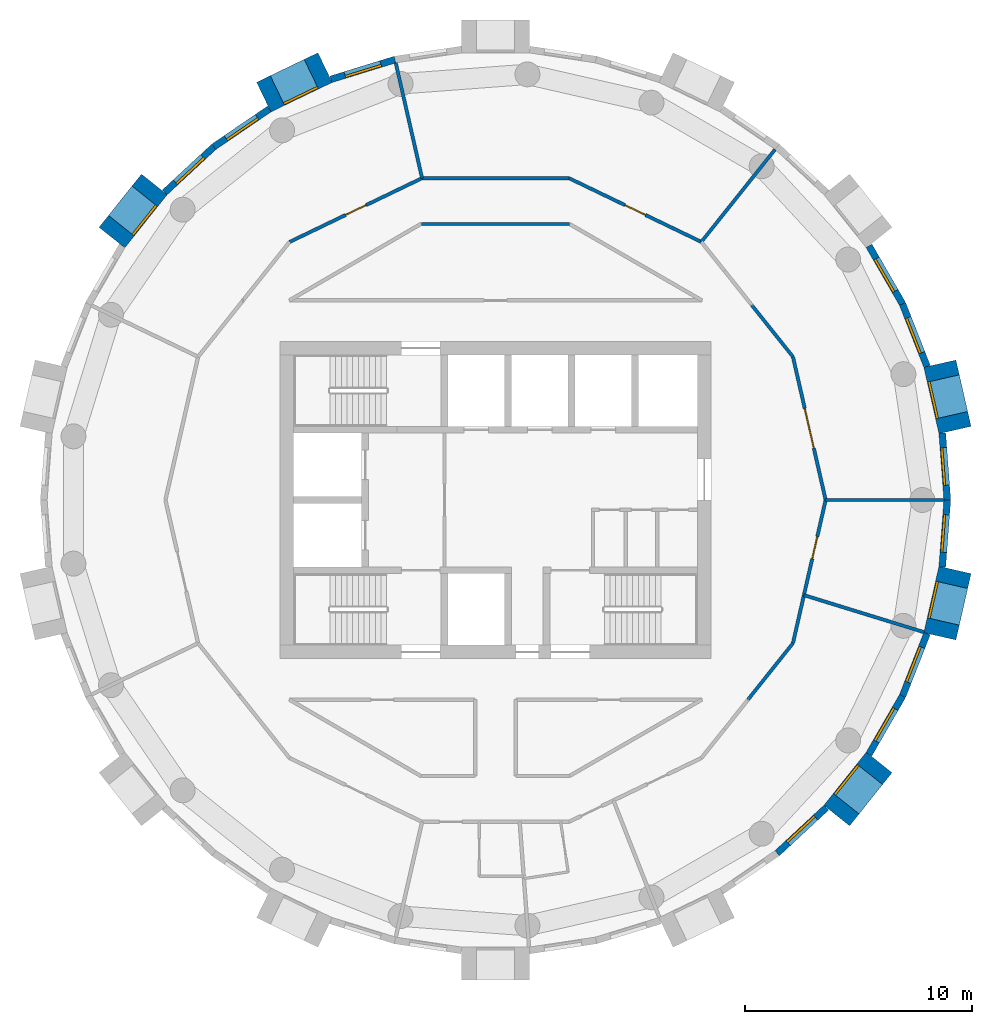
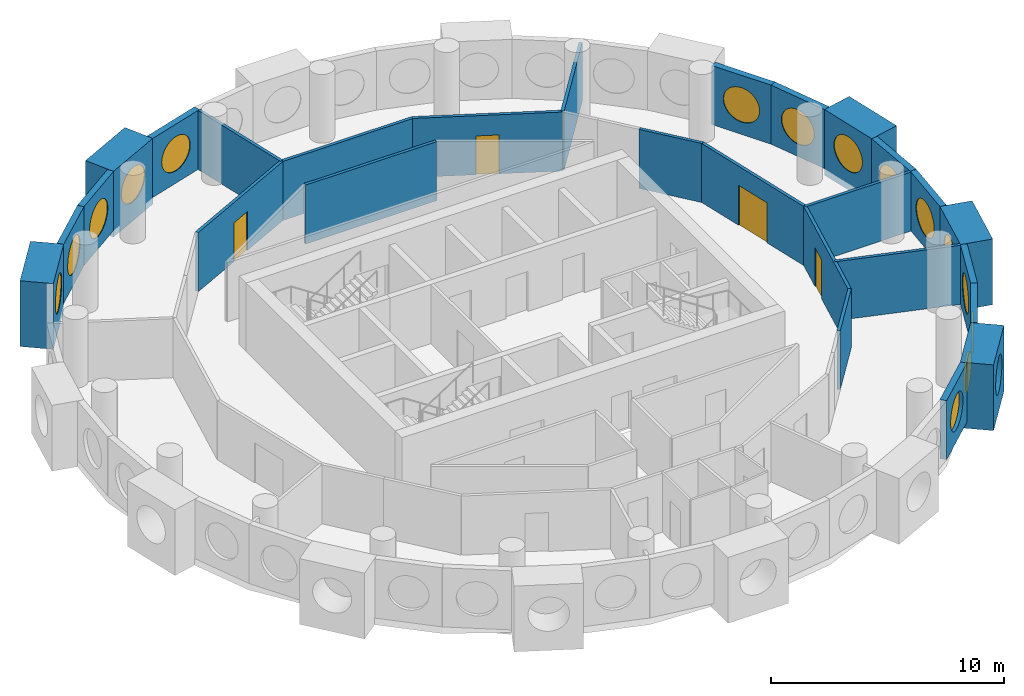
# One storey, part 10 of 13: 27 walls, 15 windows, 4 doors, 19 openings.
"""IFC4 building model written with IfcOpenShell, lengths in metres."""

import ifcopenshell
import ifcopenshell.guid

model = None  # the IFC model being written
_history = None  # IfcOwnerHistory: only IFC2X3 demands one
_inside = {}  # id of a spatial element -> (the spatial element, [elements in it])
_under = {}  # id of a project, library or spatial element -> (it, [spatial elements below it])
_declared = {}  # id of a project -> (the project, [libraries it declares])
_typed = {}  # id of a type object -> (the type object, [elements of that type])
_made_of = {}  # id of a material, layer set ... -> (it, [elements and type objects made of it])


def new_model(schema):
    """Start an empty IFC model of exactly this schema.

    Asked for "IFC4X3", IfcOpenShell would pick the latest addendum, in which some entities
    have other attributes; the version numbers below select the first issue.
    IFC2X3 requires an IfcOwnerHistory on every rooted entity: one is made here for all.
    """
    global model, _history
    if schema == "IFC4X3":
        model = ifcopenshell.file(schema_version=(4, 3, 0, 0))
    else:
        model = ifcopenshell.file(schema=schema)
    _inside.clear()
    _under.clear()
    _declared.clear()
    _typed.clear()
    _made_of.clear()
    _history = None
    if model.schema == "IFC2X3":
        org = make("IfcOrganization", Name="unknown")
        user = make(
            "IfcPersonAndOrganization",
            ThePerson=make("IfcPerson", FamilyName="unknown"),
            TheOrganization=org,
        )
        app = make(
            "IfcApplication",
            ApplicationDeveloper=org,
            Version="unknown",
            ApplicationFullName="unknown",
            ApplicationIdentifier="unknown",
        )
        _history = make(
            "IfcOwnerHistory",
            OwningUser=user,
            OwningApplication=app,
            ChangeAction="ADDED",
            CreationDate=0,
        )
    return model


def make(cls, **values):
    """One entity of the class cls with the attributes given. An attribute that is None is left unset."""
    return model.create_entity(
        cls, **{name: value for name, value in values.items() if value is not None}
    )


def rooted(cls, **values):
    """An entity with a GlobalId (a new one), such as an element, a storey or a relation."""
    return make(cls, GlobalId=ifcopenshell.guid.new(), OwnerHistory=_history, **values)


def si_unit(unit_type, name, prefix=None):
    """IfcSIUnit, for example si_unit("LENGTHUNIT", "METRE", prefix="MILLI")."""
    return make("IfcSIUnit", UnitType=unit_type, Prefix=prefix, Name=name)


def assignment(units):
    """IfcUnitAssignment: the units of a project."""
    return None if units is None else make("IfcUnitAssignment", Units=units)


def point(xyz):
    """IfcCartesianPoint."""
    return None if xyz is None else make("IfcCartesianPoint", Coordinates=xyz)


def direction(xyz):
    """IfcDirection."""
    return None if xyz is None else make("IfcDirection", DirectionRatios=xyz)


def frame(location, z_axis=None, x_axis=None):
    """IfcAxis2Placement3D, a coordinate frame: its origin and axes. An axis left out is left unset."""
    return make(
        "IfcAxis2Placement3D",
        Location=point(location),
        Axis=direction(z_axis),
        RefDirection=direction(x_axis),
    )


def frame_2d(location, x_axis=None):
    """IfcAxis2Placement2D, a coordinate frame in the plane: its origin and x axis."""
    return make(
        "IfcAxis2Placement2D", Location=point(location), RefDirection=direction(x_axis)
    )


def origin():
    """The frame at (0, 0, 0) with its axes left unset."""
    return frame((0.0, 0.0, 0.0))


def origin_2d():
    """The frame at (0, 0) in the plane with its x axis left unset."""
    return frame_2d((0.0, 0.0))


def place(relative_to, where):
    """IfcLocalPlacement: puts the frame where relative to a parent placement (None: the world)."""
    return make(
        "IfcLocalPlacement", PlacementRelTo=relative_to, RelativePlacement=where
    )


def context(
    kind, dimensions, precision=None, world=None, true_north=None, identifier=None
):
    """IfcGeometricRepresentationContext, for example the 3D "Model" context."""
    return make(
        "IfcGeometricRepresentationContext",
        ContextIdentifier=identifier,
        ContextType=kind,
        CoordinateSpaceDimension=dimensions,
        Precision=precision,
        WorldCoordinateSystem=world,
        TrueNorth=true_north,
    )


def subcontext(parent, identifier, kind, view, scale=None):
    """IfcGeometricRepresentationSubContext, for example "Body" below "Model"."""
    return make(
        "IfcGeometricRepresentationSubContext",
        ContextIdentifier=identifier,
        ContextType=kind,
        ParentContext=parent,
        TargetScale=scale,
        TargetView=view,
    )


def project(units=None, contexts=None):
    """IfcProject with its units and contexts."""
    return rooted(
        "IfcProject",
        Name="project",
        RepresentationContexts=contexts,
        UnitsInContext=assignment(units),
    )


def spatial(cls, under=None, at=None, **own):
    """A site, building, storey or space (cls), placed at a placement, below another one or the project."""
    s = rooted(cls, ObjectPlacement=at, **own)
    if under is not None:
        _under.setdefault(under.id(), (under, []))[1].append(s)
    return s


def profile(cls, at=None, kind="AREA", **sizes):
    """A parametric profile (cls). Its sizes go by their IFC names, for example OverallWidth=200.0."""
    return make(cls, ProfileType=kind, Position=at, **sizes)


def rectangle(**sizes):
    """IfcRectangleProfileDef."""
    return profile("IfcRectangleProfileDef", **sizes)


def circle(**sizes):
    """IfcCircleProfileDef."""
    return profile("IfcCircleProfileDef", **sizes)


def extrude(swept, where, along, depth):
    """IfcExtrudedAreaSolid: the profile swept, set in the frame where, extruded along a direction by depth."""
    return make(
        "IfcExtrudedAreaSolid",
        SweptArea=swept,
        Position=where,
        ExtrudedDirection=direction(along),
        Depth=depth,
    )


def shape(context_of_items, identifier, shape_type, items):
    """IfcShapeRepresentation: the items that make up one representation, for example the "Body"."""
    return make(
        "IfcShapeRepresentation",
        ContextOfItems=context_of_items,
        RepresentationIdentifier=identifier,
        RepresentationType=shape_type,
        Items=items,
    )


def material(Name=None, Category=None):
    """IfcMaterial."""
    return make("IfcMaterial", Name=Name, Category=Category)


def layer(
    of_material, thickness, ventilated=None, Name=None, Category=None, Priority=None
):
    """IfcMaterialLayer: one layer of a wall or slab, of a material (None: an air gap)."""
    return make(
        "IfcMaterialLayer",
        Material=of_material,
        LayerThickness=thickness,
        IsVentilated=ventilated,
        Name=Name,
        Category=Category,
        Priority=Priority,
    )


def layer_set(layers, Name=None):
    """IfcMaterialLayerSet."""
    return make("IfcMaterialLayerSet", MaterialLayers=layers, LayerSetName=Name)


def made_of(thing, what):
    """Note that an element or type object is made of a material, layer set ...; save() writes the relation."""
    if what is not None:
        _made_of.setdefault(what.id(), (what, []))[1].append(thing)
    return thing


def type_object(cls, material=None, **own):
    """A type object (cls), such as IfcWallType, which elements share."""
    return made_of(rooted(cls, **own), material)


def element(
    cls,
    number,
    at=None,
    inside=None,
    cuts=None,
    type_object=None,
    material=None,
    context=None,
    identifier="Body",
    shape_type=None,
    held_by="IfcProductDefinitionShape",
    body=None,
    shapes=None,
    **own,
):
    """One element of the class cls, such as IfcWall. Its Tag is "e" and its number.

    at: its placement. inside: the storey or other place that contains it. cuts: it is an
    opening in that element (IfcRelVoidsElement). A single representation is given by context,
    identifier, shape_type and body (its items); several are given by shapes. held_by: the class
    of the entity that holds the representations. save() writes the other relations.
    """
    e = rooted(cls, Tag="e%d" % number, ObjectPlacement=at, **own)
    if body is not None:
        shapes = [shape(context, identifier, shape_type, body)]
    if shapes is not None:
        e.Representation = make(held_by, Representations=shapes)
    if inside is not None:
        _inside.setdefault(inside.id(), (inside, []))[1].append(e)
    if cuts is not None:
        rooted(
            "IfcRelVoidsElement", RelatingBuildingElement=cuts, RelatedOpeningElement=e
        )
    if type_object is not None:
        _typed.setdefault(type_object.id(), (type_object, []))[1].append(e)
    return made_of(e, material)


def fill(opening, filler):
    """IfcRelFillsElement: the door or window that sits in an opening."""
    return rooted(
        "IfcRelFillsElement",
        RelatingOpeningElement=opening,
        RelatedBuildingElement=filler,
    )


def aggregate(whole, parts):
    """IfcRelAggregates: a whole, such as a stair, and the parts it consists of."""
    return rooted("IfcRelAggregates", RelatingObject=whole, RelatedObjects=parts)


def save(model, path):
    """Write the relations noted so far, then the file.

    IfcRelAggregates (storeys below a building ...), IfcRelContainedInSpatialStructure (elements
    in a storey), IfcRelDefinesByType, IfcRelAssociatesMaterial and IfcRelDeclares: one each for
    every whole, place, type object, material and project.
    """
    for whole, parts in _under.values():
        aggregate(whole, parts)
    for where, things in _inside.values():
        rooted(
            "IfcRelContainedInSpatialStructure",
            RelatedElements=things,
            RelatingStructure=where,
        )
    for kind, things in _typed.values():
        rooted("IfcRelDefinesByType", RelatedObjects=things, RelatingType=kind)
    for what, things in _made_of.values():
        rooted("IfcRelAssociatesMaterial", RelatedObjects=things, RelatingMaterial=what)
    for by, libraries in _declared.values():
        rooted("IfcRelDeclares", RelatingContext=by, RelatedDefinitions=libraries)
    model.write(path)


model = new_model("IFC4")

# Units and contexts
model_context = context("Model", 3, precision=1e-05, world=origin(), true_north=direction((0.0, 1.0)))
body_context = subcontext(model_context, "Body", "Model", "MODEL_VIEW")
ifc_project = project(units=[si_unit("LENGTHUNIT", "METRE"), si_unit("AREAUNIT", "SQUARE_METRE"), si_unit("VOLUMEUNIT", "CUBIC_METRE"), si_unit("PLANEANGLEUNIT", "RADIAN"), si_unit("MASSUNIT", "GRAM", prefix="KILO")], contexts=[model_context])

# Site, building, storey
site_placement = place(None, origin())
site = spatial("IfcSite", under=ifc_project, at=site_placement, CompositionType="ELEMENT")
building_placement = place(site_placement, origin())
building = spatial("IfcBuilding", under=site, at=building_placement, Name="Tracery Tower", CompositionType="ELEMENT")
storey_placement = place(building_placement, frame((0.0, 0.0, 274.199951171875)))
storey = spatial("IfcBuildingStorey", under=building, at=storey_placement, Name="L71", CompositionType="ELEMENT", Elevation=274.199951171875)

# Wall, opening, window
ifc_material_1 = material(Name="Precast concrete C50/60", Category="concrete")
ifc_layer_1 = layer(ifc_material_1, 1.449951171875)
ifc_layer_set_1 = layer_set([ifc_layer_1], Name="Deep-set bay unit 3000 x 3450, slab edge 350")
wall_type_1 = type_object("IfcWallType", Name="Deep-set bay unit 3000 x 3450, slab edge 350", PredefinedType="ELEMENTEDWALL", material=ifc_layer_set_1)
wall_1_placement = place(storey_placement, frame((20.262451171875, 3.086181640625, -0.349853515625), z_axis=(0.0, 0.0, 1.0), x_axis=(-0.222570682856, 0.974916555985, 0.0)))
wall_1 = element("IfcWall", 1, at=wall_1_placement, inside=storey, type_object=wall_type_1, Name="Deep-set bay unit 2 at L71", PredefinedType="ELEMENTEDWALL", context=body_context, shape_type="SweptSolid", body=[
    extrude(rectangle(XDim=3.0, YDim=1.449951171875, at=frame_2d((1.5, 0.0))), origin(), (0.0, 0.0, 1.0), 3.449951171875),
])
opening_1_placement = place(wall_1_placement, frame((1.5, 0.0, 1.89990234375)))
opening_1 = element("IfcOpeningElement", 2, at=opening_1_placement, cuts=wall_1, Name="Opening WN1", PredefinedType="OPENING", context=body_context, shape_type="SweptSolid", body=[
    extrude(circle(Radius=0.9000244140625, at=origin_2d()), frame((0.0, 0.73486328125, 0.0), z_axis=(0.0, -1.0, 0.0), x_axis=(1.0, 0.0, 0.0)), (0.0, 0.0, 1.0), 1.469970703125),
])
ifc_material_2 = material(Name="Aluminium frame with tinted double glazing", Category="aluminium")
window_type = type_object("IfcWindowType", Name="Round window 1800", PartitioningType="SINGLE_PANEL", PredefinedType="WINDOW", material=ifc_material_2)
window_1_placement = place(opening_1_placement, origin())
window_1 = element("IfcWindow", 3, at=window_1_placement, inside=storey, type_object=window_type, Name="Round window 2 at L71", OverallHeight=1.800048828125, OverallWidth=1.800048828125, PartitioningType="SINGLE_PANEL", PredefinedType="WINDOW", context=body_context, shape_type="SweptSolid", body=[
    extrude(circle(Radius=0.9000244140625, at=origin_2d()), frame((0.0, 0.69482421875, 0.0), z_axis=(0.0, -1.0, 0.0), x_axis=(1.0, 0.0, 0.0)), (0.0, 0.0, 1.0), 0.10009765625),
])
fill(opening_1, window_1)

wall_2_placement = place(storey_placement, frame((-7.517578125, 19.067626953125, -0.349853515625), z_axis=(0.0, 0.0, 1.0), x_axis=(-0.900953362039, -0.433915935904, 0.0)))
wall_2 = element("IfcWall", 4, at=wall_2_placement, inside=storey, type_object=wall_type_1, Name="Deep-set bay unit 14 at L71", PredefinedType="ELEMENTEDWALL", context=body_context, shape_type="SweptSolid", body=[
    extrude(rectangle(XDim=3.0, YDim=1.449951171875, at=frame_2d((1.5, 0.0))), origin(), (0.0, 0.0, 1.0), 3.449951171875),
])
opening_2_placement = place(wall_2_placement, frame((1.5, 0.0, 1.89990234375)))
opening_2 = element("IfcOpeningElement", 5, at=opening_2_placement, cuts=wall_2, Name="Opening WN1", PredefinedType="OPENING", context=body_context, shape_type="SweptSolid", body=[
    extrude(circle(Radius=0.9000244140625, at=origin_2d()), frame((0.0, 0.73486328125, 0.0), z_axis=(0.0, -1.0, 0.0), x_axis=(1.0, 0.0, 0.0)), (0.0, 0.0, 1.0), 1.469970703125),
])
window_2_placement = place(opening_2_placement, origin())
window_2 = element("IfcWindow", 6, at=window_2_placement, inside=storey, type_object=window_type, Name="Round window 14 at L71", OverallHeight=1.800048828125, OverallWidth=1.800048828125, PartitioningType="SINGLE_PANEL", PredefinedType="WINDOW", context=body_context, shape_type="SweptSolid", body=[
    extrude(circle(Radius=0.9000244140625, at=origin_2d()), frame((0.0, 0.69482421875, 0.0), z_axis=(0.0, -1.0, 0.0), x_axis=(1.0, 0.0, 0.0)), (0.0, 0.0, 1.0), 0.10009765625),
])
fill(opening_2, window_2)

wall_3_placement = place(storey_placement, frame((-15.046142578125, 13.91748046875, -0.349853515625), z_axis=(0.0, 0.0, 1.0), x_axis=(-0.623523286312, -0.781804778335, 0.0)))
wall_3 = element("IfcWall", 7, at=wall_3_placement, inside=storey, type_object=wall_type_1, Name="Deep-set bay unit 17 at L71", PredefinedType="ELEMENTEDWALL", context=body_context, shape_type="SweptSolid", body=[
    extrude(rectangle(XDim=3.0, YDim=1.449951171875, at=frame_2d((1.5, 0.0))), origin(), (0.0, 0.0, 1.0), 3.449951171875),
])
opening_3_placement = place(wall_3_placement, frame((1.5, 0.0, 1.89990234375)))
opening_3 = element("IfcOpeningElement", 8, at=opening_3_placement, cuts=wall_3, Name="Opening WN1", PredefinedType="OPENING", context=body_context, shape_type="SweptSolid", body=[
    extrude(circle(Radius=0.9000244140625, at=origin_2d()), frame((0.0, 0.73486328125, 0.0), z_axis=(0.0, -1.0, 0.0), x_axis=(1.0, 0.0, 0.0)), (0.0, 0.0, 1.0), 1.469970703125),
])
window_3_placement = place(opening_3_placement, origin())
window_3 = element("IfcWindow", 9, at=window_3_placement, inside=storey, type_object=window_type, Name="Round window 17 at L71", OverallHeight=1.800048828125, OverallWidth=1.800048828125, PartitioningType="SINGLE_PANEL", PredefinedType="WINDOW", context=body_context, shape_type="SweptSolid", body=[
    extrude(circle(Radius=0.9000244140625, at=origin_2d()), frame((0.0, 0.69482421875, 0.0), z_axis=(0.0, -1.0, 0.0), x_axis=(1.0, 0.0, 0.0)), (0.0, 0.0, 1.0), 0.10009765625),
])
fill(opening_3, window_3)

wall_4_placement = place(storey_placement, frame((15.046142578125, -13.91748046875, -0.349853515625), z_axis=(0.0, 0.0, 1.0), x_axis=(0.623523286312, 0.781804778335, 0.0)))
wall_4 = element("IfcWall", 10, at=wall_4_placement, inside=storey, type_object=wall_type_1, Name="Deep-set bay unit 38 at L71", PredefinedType="ELEMENTEDWALL", context=body_context, shape_type="SweptSolid", body=[
    extrude(rectangle(XDim=3.0, YDim=1.449951171875, at=frame_2d((1.5, 0.0))), origin(), (0.0, 0.0, 1.0), 3.449951171875),
])
opening_4_placement = place(wall_4_placement, frame((1.5, 0.0, 1.89990234375)))
opening_4 = element("IfcOpeningElement", 11, at=opening_4_placement, cuts=wall_4, Name="Opening WN1", PredefinedType="OPENING", context=body_context, shape_type="SweptSolid", body=[
    extrude(circle(Radius=0.9000244140625, at=origin_2d()), frame((0.0, 0.73486328125, 0.0), z_axis=(0.0, -1.0, 0.0), x_axis=(1.0, 0.0, 0.0)), (0.0, 0.0, 1.0), 1.469970703125),
])
window_4_placement = place(opening_4_placement, origin())
window_4 = element("IfcWindow", 12, at=window_4_placement, inside=storey, type_object=window_type, Name="Round window 38 at L71", OverallHeight=1.800048828125, OverallWidth=1.800048828125, PartitioningType="SINGLE_PANEL", PredefinedType="WINDOW", context=body_context, shape_type="SweptSolid", body=[
    extrude(circle(Radius=0.9000244140625, at=origin_2d()), frame((0.0, 0.69482421875, 0.0), z_axis=(0.0, -1.0, 0.0), x_axis=(1.0, 0.0, 0.0)), (0.0, 0.0, 1.0), 0.10009765625),
])
fill(opening_4, window_4)

wall_5_placement = place(storey_placement, frame((19.5947265625, -6.010986328125, -0.349853515625), z_axis=(0.0, 0.0, 1.0), x_axis=(0.222570682856, 0.974916555985, 0.0)))
wall_5 = element("IfcWall", 13, at=wall_5_placement, inside=storey, type_object=wall_type_1, Name="Deep-set bay unit 41 at L71", PredefinedType="ELEMENTEDWALL", context=body_context, shape_type="SweptSolid", body=[
    extrude(rectangle(XDim=3.0, YDim=1.449951171875, at=frame_2d((1.5, 0.0))), origin(), (0.0, 0.0, 1.0), 3.449951171875),
])
opening_5_placement = place(wall_5_placement, frame((1.5, 0.0, 1.89990234375)))
opening_5 = element("IfcOpeningElement", 14, at=opening_5_placement, cuts=wall_5, Name="Opening WN1", PredefinedType="OPENING", context=body_context, shape_type="SweptSolid", body=[
    extrude(circle(Radius=0.9000244140625, at=origin_2d()), frame((0.0, 0.73486328125, 0.0), z_axis=(0.0, -1.0, 0.0), x_axis=(1.0, 0.0, 0.0)), (0.0, 0.0, 1.0), 1.469970703125),
])
window_5_placement = place(opening_5_placement, origin())
window_5 = element("IfcWindow", 15, at=window_5_placement, inside=storey, type_object=window_type, Name="Round window 41 at L71", OverallHeight=1.800048828125, OverallWidth=1.800048828125, PartitioningType="SINGLE_PANEL", PredefinedType="WINDOW", context=body_context, shape_type="SweptSolid", body=[
    extrude(circle(Radius=0.9000244140625, at=origin_2d()), frame((0.0, 0.69482421875, 0.0), z_axis=(0.0, -1.0, 0.0), x_axis=(1.0, 0.0, 0.0)), (0.0, 0.0, 1.0), 0.10009765625),
])
fill(opening_5, window_5)

ifc_material_3 = material(Name="Precast concrete C50/60", Category="concrete")
ifc_layer_2 = layer(ifc_material_3, 0.300048828125)
ifc_layer_set_2 = layer_set([ifc_layer_2], Name="Facade panel 3000 x 3100")
wall_type_2 = type_object("IfcWallType", Name="Facade panel 3000 x 3100", PredefinedType="SOLIDWALL", material=ifc_layer_set_2)
wall_6_placement = place(storey_placement, frame((19.921875, 0.0, 0.0), z_axis=(0.0, 0.0, 1.0), x_axis=(-0.074755115547, 0.997201921729, 0.0)))
wall_6 = element("IfcWall", 16, at=wall_6_placement, inside=storey, type_object=wall_type_2, Name="Facade panel 1 at L71", PredefinedType="SOLIDWALL", context=body_context, shape_type="SweptSolid", body=[
    extrude(rectangle(XDim=2.962158203125, YDim=0.300048828125, at=frame_2d((1.48095703125, 0.0))), origin(), (0.0, 0.0, 1.0), 3.10009765625),
])
opening_6_placement = place(wall_6_placement, frame((1.48095703125, 0.0, 1.5498046875)))
opening_6 = element("IfcOpeningElement", 17, at=opening_6_placement, cuts=wall_6, Name="Opening WN1", PredefinedType="OPENING", context=body_context, shape_type="SweptSolid", body=[
    extrude(circle(Radius=0.9000244140625, at=origin_2d()), frame((0.0, 0.159912109375, 0.0), z_axis=(0.0, -1.0, 0.0), x_axis=(1.0, 0.0, 0.0)), (0.0, 0.0, 1.0), 0.320068359375),
])
window_6_placement = place(opening_6_placement, origin())
window_6 = element("IfcWindow", 18, at=window_6_placement, inside=storey, type_object=window_type, Name="Round window 1 at L71", OverallHeight=1.800048828125, OverallWidth=1.800048828125, PartitioningType="SINGLE_PANEL", PredefinedType="WINDOW", context=body_context, shape_type="SweptSolid", body=[
    extrude(circle(Radius=0.9000244140625, at=origin_2d()), frame((0.0, 0.1201171875, 0.0), z_axis=(0.0, -1.0, 0.0), x_axis=(1.0, 0.0, 0.0)), (0.0, 0.0, 1.0), 0.10009765625),
])
fill(opening_6, window_6)

wall_7_placement = place(storey_placement, frame((19.03125, 5.88623046875, 0.0), z_axis=(0.0, 0.0, 1.0), x_axis=(-0.365343821297, 0.930872650925, 0.0)))
wall_7 = element("IfcWall", 19, at=wall_7_placement, inside=storey, type_object=wall_type_2, Name="Facade panel 3 at L71", PredefinedType="SOLIDWALL", context=body_context, shape_type="SweptSolid", body=[
    extrude(rectangle(XDim=2.96240234375, YDim=0.300048828125, at=frame_2d((1.481201171875, 0.0))), origin(), (0.0, 0.0, 1.0), 3.10009765625),
])
opening_7_placement = place(wall_7_placement, frame((1.48095703125, 0.0, 1.5498046875)))
opening_7 = element("IfcOpeningElement", 20, at=opening_7_placement, cuts=wall_7, Name="Opening WN1", PredefinedType="OPENING", context=body_context, shape_type="SweptSolid", body=[
    extrude(circle(Radius=0.9000244140625, at=origin_2d()), frame((0.0, 0.159912109375, 0.0), z_axis=(0.0, -1.0, 0.0), x_axis=(1.0, 0.0, 0.0)), (0.0, 0.0, 1.0), 0.320068359375),
])
window_7_placement = place(opening_7_placement, origin())
window_7 = element("IfcWindow", 21, at=window_7_placement, inside=storey, type_object=window_type, Name="Round window 3 at L71", OverallHeight=1.800048828125, OverallWidth=1.800048828125, PartitioningType="SINGLE_PANEL", PredefinedType="WINDOW", context=body_context, shape_type="SweptSolid", body=[
    extrude(circle(Radius=0.9000244140625, at=origin_2d()), frame((0.0, 0.1201171875, 0.0), z_axis=(0.0, -1.0, 0.0), x_axis=(1.0, 0.0, 0.0)), (0.0, 0.0, 1.0), 0.10009765625),
])
fill(opening_7, window_7)

wall_8_placement = place(storey_placement, frame((17.948974609375, 8.643798828125, 0.0), z_axis=(0.0, 0.0, 1.0), x_axis=(-0.500012570604, 0.866018146021, 0.0)))
wall_8 = element("IfcWall", 22, at=wall_8_placement, inside=storey, type_object=wall_type_2, Name="Facade panel 4 at L71", PredefinedType="SOLIDWALL", context=body_context, shape_type="SweptSolid", body=[
    extrude(rectangle(XDim=2.96240234375, YDim=0.300048828125, at=frame_2d((1.481201171875, 0.0))), origin(), (0.0, 0.0, 1.0), 3.10009765625),
])
opening_8_placement = place(wall_8_placement, frame((1.48095703125, 0.0, 1.5498046875)))
opening_8 = element("IfcOpeningElement", 23, at=opening_8_placement, cuts=wall_8, Name="Opening WN1", PredefinedType="OPENING", context=body_context, shape_type="SweptSolid", body=[
    extrude(circle(Radius=0.9000244140625, at=origin_2d()), frame((0.0, 0.159912109375, 0.0), z_axis=(0.0, -1.0, 0.0), x_axis=(1.0, 0.0, 0.0)), (0.0, 0.0, 1.0), 0.320068359375),
])
window_8_placement = place(opening_8_placement, origin())
window_8 = element("IfcWindow", 24, at=window_8_placement, inside=storey, type_object=window_type, Name="Round window 4 at L71", OverallHeight=1.800048828125, OverallWidth=1.800048828125, PartitioningType="SINGLE_PANEL", PredefinedType="WINDOW", context=body_context, shape_type="SweptSolid", body=[
    extrude(circle(Radius=0.9000244140625, at=origin_2d()), frame((0.0, 0.1201171875, 0.0), z_axis=(0.0, -1.0, 0.0), x_axis=(1.0, 0.0, 0.0)), (0.0, 0.0, 1.0), 0.10009765625),
])
fill(opening_8, window_8)

wall_9_placement = place(storey_placement, frame((-4.43310546875, 19.42236328125, 0.0), z_axis=(0.0, 0.0, 1.0), x_axis=(-0.955555982805, -0.29480970765, 0.0)))
wall_9 = element("IfcWall", 25, at=wall_9_placement, inside=storey, type_object=wall_type_2, Name="Facade panel 13 at L71", PredefinedType="SOLIDWALL", context=body_context, shape_type="SweptSolid", body=[
    extrude(rectangle(XDim=2.962158203125, YDim=0.300048828125, at=frame_2d((1.48095703125, 0.0))), origin(), (0.0, 0.0, 1.0), 3.10009765625),
])
opening_9_placement = place(wall_9_placement, frame((1.48095703125, 0.0, 1.5498046875)))
opening_9 = element("IfcOpeningElement", 26, at=opening_9_placement, cuts=wall_9, Name="Opening WN1", PredefinedType="OPENING", context=body_context, shape_type="SweptSolid", body=[
    extrude(circle(Radius=0.9000244140625, at=origin_2d()), frame((0.0, 0.159912109375, 0.0), z_axis=(0.0, -1.0, 0.0), x_axis=(1.0, 0.0, 0.0)), (0.0, 0.0, 1.0), 0.320068359375),
])
window_9_placement = place(opening_9_placement, origin())
window_9 = element("IfcWindow", 27, at=window_9_placement, inside=storey, type_object=window_type, Name="Round window 13 at L71", OverallHeight=1.800048828125, OverallWidth=1.800048828125, PartitioningType="SINGLE_PANEL", PredefinedType="WINDOW", context=body_context, shape_type="SweptSolid", body=[
    extrude(circle(Radius=0.9000244140625, at=origin_2d()), frame((0.0, 0.1201171875, 0.0), z_axis=(0.0, -1.0, 0.0), x_axis=(1.0, 0.0, 0.0)), (0.0, 0.0, 1.0), 0.10009765625),
])
fill(opening_9, window_9)

wall_10_placement = place(storey_placement, frame((-9.9736328125, 17.244140625, 0.0), z_axis=(0.0, 0.0, 1.0), x_axis=(-0.826236061068, -0.563324037646, 0.0)))
wall_10 = element("IfcWall", 28, at=wall_10_placement, inside=storey, type_object=wall_type_2, Name="Facade panel 15 at L71", PredefinedType="SOLIDWALL", context=body_context, shape_type="SweptSolid", body=[
    extrude(rectangle(XDim=2.962158203125, YDim=0.300048828125, at=frame_2d((1.48095703125, 0.0))), origin(), (0.0, 0.0, 1.0), 3.10009765625),
])
opening_10_placement = place(wall_10_placement, frame((1.48095703125, 0.0, 1.5498046875)))
opening_10 = element("IfcOpeningElement", 29, at=opening_10_placement, cuts=wall_10, Name="Opening WN1", PredefinedType="OPENING", context=body_context, shape_type="SweptSolid", body=[
    extrude(circle(Radius=0.9000244140625, at=origin_2d()), frame((0.0, 0.159912109375, 0.0), z_axis=(0.0, -1.0, 0.0), x_axis=(1.0, 0.0, 0.0)), (0.0, 0.0, 1.0), 0.320068359375),
])
window_10_placement = place(opening_10_placement, origin())
window_10 = element("IfcWindow", 30, at=window_10_placement, inside=storey, type_object=window_type, Name="Round window 15 at L71", OverallHeight=1.800048828125, OverallWidth=1.800048828125, PartitioningType="SINGLE_PANEL", PredefinedType="WINDOW", context=body_context, shape_type="SweptSolid", body=[
    extrude(circle(Radius=0.9000244140625, at=origin_2d()), frame((0.0, 0.1201171875, 0.0), z_axis=(0.0, -1.0, 0.0), x_axis=(1.0, 0.0, 0.0)), (0.0, 0.0, 1.0), 0.10009765625),
])
fill(opening_10, window_10)

wall_11_placement = place(storey_placement, frame((-12.421142578125, 15.575439453125, 0.0), z_axis=(0.0, 0.0, 1.0), x_axis=(-0.733028283666, -0.680198158882, 0.0)))
wall_11 = element("IfcWall", 31, at=wall_11_placement, inside=storey, type_object=wall_type_2, Name="Facade panel 16 at L71", PredefinedType="SOLIDWALL", context=body_context, shape_type="SweptSolid", body=[
    extrude(rectangle(XDim=2.962158203125, YDim=0.300048828125, at=frame_2d((1.48095703125, 0.0))), origin(), (0.0, 0.0, 1.0), 3.10009765625),
])
opening_11_placement = place(wall_11_placement, frame((1.48095703125, 0.0, 1.5498046875)))
opening_11 = element("IfcOpeningElement", 32, at=opening_11_placement, cuts=wall_11, Name="Opening WN1", PredefinedType="OPENING", context=body_context, shape_type="SweptSolid", body=[
    extrude(circle(Radius=0.9000244140625, at=origin_2d()), frame((0.0, 0.159912109375, 0.0), z_axis=(0.0, -1.0, 0.0), x_axis=(1.0, 0.0, 0.0)), (0.0, 0.0, 1.0), 0.320068359375),
])
window_11_placement = place(opening_11_placement, origin())
window_11 = element("IfcWindow", 33, at=window_11_placement, inside=storey, type_object=window_type, Name="Round window 16 at L71", OverallHeight=1.800048828125, OverallWidth=1.800048828125, PartitioningType="SINGLE_PANEL", PredefinedType="WINDOW", context=body_context, shape_type="SweptSolid", body=[
    extrude(circle(Radius=0.9000244140625, at=origin_2d()), frame((0.0, 0.1201171875, 0.0), z_axis=(0.0, -1.0, 0.0), x_axis=(1.0, 0.0, 0.0)), (0.0, 0.0, 1.0), 0.10009765625),
])
fill(opening_11, window_11)

wall_12_placement = place(storey_placement, frame((12.421142578125, -15.575439453125, 0.0), z_axis=(0.0, 0.0, 1.0), x_axis=(0.733028283666, 0.680198158882, 0.0)))
wall_12 = element("IfcWall", 34, at=wall_12_placement, inside=storey, type_object=wall_type_2, Name="Facade panel 37 at L71", PredefinedType="SOLIDWALL", context=body_context, shape_type="SweptSolid", body=[
    extrude(rectangle(XDim=2.962158203125, YDim=0.300048828125, at=frame_2d((1.48095703125, 0.0))), origin(), (0.0, 0.0, 1.0), 3.10009765625),
])
opening_12_placement = place(wall_12_placement, frame((1.48095703125, 0.0, 1.5498046875)))
opening_12 = element("IfcOpeningElement", 35, at=opening_12_placement, cuts=wall_12, Name="Opening WN1", PredefinedType="OPENING", context=body_context, shape_type="SweptSolid", body=[
    extrude(circle(Radius=0.9000244140625, at=origin_2d()), frame((0.0, 0.159912109375, 0.0), z_axis=(0.0, -1.0, 0.0), x_axis=(1.0, 0.0, 0.0)), (0.0, 0.0, 1.0), 0.320068359375),
])
window_12_placement = place(opening_12_placement, origin())
window_12 = element("IfcWindow", 36, at=window_12_placement, inside=storey, type_object=window_type, Name="Round window 37 at L71", OverallHeight=1.800048828125, OverallWidth=1.800048828125, PartitioningType="SINGLE_PANEL", PredefinedType="WINDOW", context=body_context, shape_type="SweptSolid", body=[
    extrude(circle(Radius=0.9000244140625, at=origin_2d()), frame((0.0, 0.1201171875, 0.0), z_axis=(0.0, -1.0, 0.0), x_axis=(1.0, 0.0, 0.0)), (0.0, 0.0, 1.0), 0.10009765625),
])
fill(opening_12, window_12)

wall_13_placement = place(storey_placement, frame((16.4677734375, -11.209228515625, 0.0), z_axis=(0.0, 0.0, 1.0), x_axis=(0.500012570604, 0.866018146021, 0.0)))
wall_13 = element("IfcWall", 37, at=wall_13_placement, inside=storey, type_object=wall_type_2, Name="Facade panel 39 at L71", PredefinedType="SOLIDWALL", context=body_context, shape_type="SweptSolid", body=[
    extrude(rectangle(XDim=2.96240234375, YDim=0.300048828125, at=frame_2d((1.481201171875, 0.0))), origin(), (0.0, 0.0, 1.0), 3.10009765625),
])
opening_13_placement = place(wall_13_placement, frame((1.48095703125, 0.0, 1.5498046875)))
opening_13 = element("IfcOpeningElement", 38, at=opening_13_placement, cuts=wall_13, Name="Opening WN1", PredefinedType="OPENING", context=body_context, shape_type="SweptSolid", body=[
    extrude(circle(Radius=0.9000244140625, at=origin_2d()), frame((0.0, 0.159912109375, 0.0), z_axis=(0.0, -1.0, 0.0), x_axis=(1.0, 0.0, 0.0)), (0.0, 0.0, 1.0), 0.320068359375),
])
window_13_placement = place(opening_13_placement, origin())
window_13 = element("IfcWindow", 39, at=window_13_placement, inside=storey, type_object=window_type, Name="Round window 39 at L71", OverallHeight=1.800048828125, OverallWidth=1.800048828125, PartitioningType="SINGLE_PANEL", PredefinedType="WINDOW", context=body_context, shape_type="SweptSolid", body=[
    extrude(circle(Radius=0.9000244140625, at=origin_2d()), frame((0.0, 0.1201171875, 0.0), z_axis=(0.0, -1.0, 0.0), x_axis=(1.0, 0.0, 0.0)), (0.0, 0.0, 1.0), 0.10009765625),
])
fill(opening_13, window_13)

wall_14_placement = place(storey_placement, frame((17.948974609375, -8.643798828125, 0.0), z_axis=(0.0, 0.0, 1.0), x_axis=(0.365343821297, 0.930872650925, 0.0)))
wall_14 = element("IfcWall", 40, at=wall_14_placement, inside=storey, type_object=wall_type_2, Name="Facade panel 40 at L71", PredefinedType="SOLIDWALL", context=body_context, shape_type="SweptSolid", body=[
    extrude(rectangle(XDim=2.96240234375, YDim=0.300048828125, at=frame_2d((1.481201171875, 0.0))), origin(), (0.0, 0.0, 1.0), 3.10009765625),
])
opening_14_placement = place(wall_14_placement, frame((1.48095703125, 0.0, 1.5498046875)))
opening_14 = element("IfcOpeningElement", 41, at=opening_14_placement, cuts=wall_14, Name="Opening WN1", PredefinedType="OPENING", context=body_context, shape_type="SweptSolid", body=[
    extrude(circle(Radius=0.9000244140625, at=origin_2d()), frame((0.0, 0.159912109375, 0.0), z_axis=(0.0, -1.0, 0.0), x_axis=(1.0, 0.0, 0.0)), (0.0, 0.0, 1.0), 0.320068359375),
])
window_14_placement = place(opening_14_placement, origin())
window_14 = element("IfcWindow", 42, at=window_14_placement, inside=storey, type_object=window_type, Name="Round window 40 at L71", OverallHeight=1.800048828125, OverallWidth=1.800048828125, PartitioningType="SINGLE_PANEL", PredefinedType="WINDOW", context=body_context, shape_type="SweptSolid", body=[
    extrude(circle(Radius=0.9000244140625, at=origin_2d()), frame((0.0, 0.1201171875, 0.0), z_axis=(0.0, -1.0, 0.0), x_axis=(1.0, 0.0, 0.0)), (0.0, 0.0, 1.0), 0.10009765625),
])
fill(opening_14, window_14)

wall_15_placement = place(storey_placement, frame((19.700439453125, -2.953857421875, 0.0), z_axis=(0.0, 0.0, 1.0), x_axis=(0.074755115547, 0.997201921729, 0.0)))
wall_15 = element("IfcWall", 43, at=wall_15_placement, inside=storey, type_object=wall_type_2, Name="Facade panel 42 at L71", PredefinedType="SOLIDWALL", context=body_context, shape_type="SweptSolid", body=[
    extrude(rectangle(XDim=2.962158203125, YDim=0.300048828125, at=frame_2d((1.48095703125, 0.0))), origin(), (0.0, 0.0, 1.0), 3.10009765625),
])
opening_15_placement = place(wall_15_placement, frame((1.48095703125, 0.0, 1.5498046875)))
opening_15 = element("IfcOpeningElement", 44, at=opening_15_placement, cuts=wall_15, Name="Opening WN1", PredefinedType="OPENING", context=body_context, shape_type="SweptSolid", body=[
    extrude(circle(Radius=0.9000244140625, at=origin_2d()), frame((0.0, 0.159912109375, 0.0), z_axis=(0.0, -1.0, 0.0), x_axis=(1.0, 0.0, 0.0)), (0.0, 0.0, 1.0), 0.320068359375),
])
window_15_placement = place(opening_15_placement, origin())
window_15 = element("IfcWindow", 45, at=window_15_placement, inside=storey, type_object=window_type, Name="Round window 42 at L71", OverallHeight=1.800048828125, OverallWidth=1.800048828125, PartitioningType="SINGLE_PANEL", PredefinedType="WINDOW", context=body_context, shape_type="SweptSolid", body=[
    extrude(circle(Radius=0.9000244140625, at=origin_2d()), frame((0.0, 0.1201171875, 0.0), z_axis=(0.0, -1.0, 0.0), x_axis=(1.0, 0.0, 0.0)), (0.0, 0.0, 1.0), 0.10009765625),
])
fill(opening_15, window_15)

# Walls
ifc_material_4 = material(Name="Plasterboard on steel studs", Category="steel")
ifc_layer_3 = layer(ifc_material_4, 0.14990234375)
ifc_layer_set_3 = layer_set([ifc_layer_3], Name="Partition 150 acoustic unit wall")
wall_type_3 = type_object("IfcWallType", Name="Partition 150 acoustic unit wall", PredefinedType="PARTITIONING", material=ifc_layer_set_3)
wall_16_placement = place(storey_placement, frame((9.075927734375, 11.381103515625, 0.0), z_axis=(0.0, 0.0, 1.0), x_axis=(0.623460949534, 0.781854490558, 0.0)))
element("IfcWall", 46, at=wall_16_placement, inside=storey, type_object=wall_type_3, Name="Unit wall RC5-043", PredefinedType="PARTITIONING", context=body_context, shape_type="SweptSolid", body=[
    extrude(rectangle(XDim=5.21435546875, YDim=0.14990234375, at=frame_2d((2.607177734375, 0.0))), origin(), (0.0, 0.0, 1.0), 3.10009765625),
])
wall_17_placement = place(storey_placement, frame((14.556884765625, 0.0, 0.0), z_axis=(0.0, 0.0, 1.0), x_axis=(1.0, 0.0, 0.0)))
element("IfcWall", 47, at=wall_17_placement, inside=storey, type_object=wall_type_3, Name="Unit wall RC5-044", PredefinedType="PARTITIONING", context=body_context, shape_type="SweptSolid", body=[
    extrude(rectangle(XDim=5.214111328125, YDim=0.14990234375, at=frame_2d((2.60693359375, 0.0))), origin(), (0.0, 0.0, 1.0), 3.10009765625),
])
wall_18_placement = place(storey_placement, frame((-4.39990234375, 19.27587890625, 0.0), z_axis=(0.0, 0.0, 1.0), x_axis=(0.222612505682, -0.974907007008, 0.0)))
element("IfcWall", 48, at=wall_18_placement, inside=storey, type_object=wall_type_3, Name="Unit wall RC5-045", PredefinedType="PARTITIONING", context=body_context, shape_type="SweptSolid", body=[
    extrude(rectangle(XDim=5.21484375, YDim=0.14990234375, at=frame_2d((2.607421875, 0.0))), origin(), (0.0, 0.0, 1.0), 3.10009765625),
])
wall_19_placement = place(storey_placement, frame((13.59912109375, -4.195068359375, 0.0), z_axis=(0.0, 0.0, 1.0), x_axis=(0.955580602693, -0.294729896274, 0.0)))
element("IfcWall", 49, at=wall_19_placement, inside=storey, type_object=wall_type_3, Name="Unit wall RC5-056", PredefinedType="PARTITIONING", context=body_context, shape_type="SweptSolid", body=[
    extrude(rectangle(XDim=5.5400390625, YDim=0.14990234375, at=frame_2d((2.77001953125, 0.0))), origin(), (0.0, 0.0, 1.0), 3.10009765625),
])
ifc_material_5 = material(Name="Plasterboard on steel studs", Category="steel")
ifc_layer_4 = layer(ifc_material_5, 0.14990234375)
ifc_layer_set_4 = layer_set([ifc_layer_4], Name="Partition 150 corridor wall")
wall_type_4 = type_object("IfcWallType", Name="Partition 150 corridor wall", PredefinedType="PARTITIONING", material=ifc_layer_set_4)
wall_20_placement = place(storey_placement, frame((11.300048828125, 8.592041015625, 0.0), z_axis=(0.0, 0.0, 1.0), x_axis=(0.623446514299, -0.781866001185, 0.0)))
element("IfcWall", 50, at=wall_20_placement, inside=storey, type_object=wall_type_4, Name="Corridor wall RC5-020", PredefinedType="PARTITIONING", context=body_context, shape_type="SweptSolid", body=[
    extrude(rectangle(XDim=2.9111328125, YDim=0.14990234375, at=frame_2d((1.45556640625, 0.0))), origin(), (0.0, 0.0, 1.0), 3.10009765625),
])

# Wall, opening, door
wall_21_placement = place(storey_placement, frame((13.114990234375, 6.31591796875, 0.0), z_axis=(0.0, 0.0, 1.0), x_axis=(0.222568978642, -0.97491694505, 0.0)))
wall_21 = element("IfcWall", 51, at=wall_21_placement, inside=storey, type_object=wall_type_4, Name="Corridor wall RC5-021", PredefinedType="PARTITIONING", context=body_context, shape_type="SweptSolid", body=[
    extrude(rectangle(XDim=6.478515625, YDim=0.14990234375, at=frame_2d((3.2392578125, 0.0))), origin(), (0.0, 0.0, 1.0), 3.10009765625),
])
opening_16_placement = place(wall_21_placement, frame((2.339111328125, 0.0, 0.0)))
opening_16 = element("IfcOpeningElement", 52, at=opening_16_placement, cuts=wall_21, Name="Opening RC5-04", PredefinedType="OPENING", context=body_context, shape_type="SweptSolid", body=[
    extrude(rectangle(XDim=1.800048828125, YDim=2.10009765625, at=frame_2d((0.89990234375, 1.050048828125))), frame((0.0, 0.074951171875, 0.0), z_axis=(0.0, -1.0, 0.0), x_axis=(1.0, 0.0, 0.0)), (0.0, 0.0, 1.0), 0.14990234375),
])
ifc_material_6 = material(Name="Timber door leaf", Category="wood")
door_type_1 = type_object("IfcDoorType", Name="Door double lounge 1800", OperationType="NOTDEFINED", PredefinedType="DOOR", material=ifc_material_6)
door_1_placement = place(opening_16_placement, origin())
door_1 = element("IfcDoor", 53, at=door_1_placement, inside=storey, type_object=door_type_1, Name="Double lounge door RC5-04", OperationType="DOUBLE_DOOR_SINGLE_SWING", OverallHeight=2.10009765625, OverallWidth=1.800048828125, PredefinedType="DOOR", context=body_context, shape_type="SweptSolid", body=[
    extrude(rectangle(XDim=1.800048828125, YDim=2.10009765625, at=frame_2d((0.89990234375, 1.050048828125))), frame((0.0, 0.02490234375, 0.0), z_axis=(0.0, -1.0, 0.0), x_axis=(1.0, 0.0, 0.0)), (0.0, 0.0, 1.0), 0.050048828125),
])
fill(opening_16, door_1)

wall_22_placement = place(storey_placement, frame((13.114990234375, -6.31591796875, 0.0), z_axis=(0.0, 0.0, 1.0), x_axis=(0.222533159771, 0.974925121639, 0.0)))
wall_22 = element("IfcWall", 54, at=wall_22_placement, inside=storey, type_object=wall_type_4, Name="Corridor wall RC5-022", PredefinedType="PARTITIONING", context=body_context, shape_type="SweptSolid", body=[
    extrude(rectangle(XDim=6.478271484375, YDim=0.14990234375, at=frame_2d((3.2392578125, 0.0))), origin(), (0.0, 0.0, 1.0), 3.10009765625),
])
opening_17_placement = place(wall_22_placement, frame((3.824462890625, 0.0, 0.0)))
opening_17 = element("IfcOpeningElement", 55, at=opening_17_placement, cuts=wall_22, Name="Opening RC5-14", PredefinedType="OPENING", context=body_context, shape_type="SweptSolid", body=[
    extrude(rectangle(XDim=1.0, YDim=2.0400390625, at=frame_2d((0.5, 1.02001953125))), frame((0.0, 0.074951171875, 0.0), z_axis=(0.0, -1.0, 0.0), x_axis=(1.0, 0.0, 0.0)), (0.0, 0.0, 1.0), 0.14990234375),
])
ifc_material_7 = material(Name="Timber door leaf", Category="wood")
door_type_2 = type_object("IfcDoorType", Name="Door communal room 1000", OperationType="NOTDEFINED", PredefinedType="DOOR", material=ifc_material_7)
door_2_placement = place(opening_17_placement, origin())
door_2 = element("IfcDoor", 56, at=door_2_placement, inside=storey, type_object=door_type_2, Name="Communal room door RC5-14", OperationType="SINGLE_SWING_RIGHT", OverallHeight=2.0400390625, OverallWidth=1.0, PredefinedType="DOOR", context=body_context, shape_type="SweptSolid", body=[
    extrude(rectangle(XDim=1.0, YDim=2.0400390625, at=frame_2d((0.5, 1.02001953125))), frame((0.0, 0.02490234375, 0.0), z_axis=(0.0, -1.0, 0.0), x_axis=(1.0, 0.0, 0.0)), (0.0, 0.0, 1.0), 0.050048828125),
])
fill(opening_17, door_2)

# Walls
wall_23_placement = place(storey_placement, frame((11.134033203125, -8.800048828125, 0.0), z_axis=(0.0, 0.0, 1.0), x_axis=(0.623476099415, 0.781842409606, 0.0)))
element("IfcWall", 57, at=wall_23_placement, inside=storey, type_object=wall_type_4, Name="Corridor wall RC5-023", PredefinedType="PARTITIONING", context=body_context, shape_type="SweptSolid", body=[
    extrude(rectangle(XDim=3.17724609375, YDim=0.14990234375, at=frame_2d((1.588623046875, 0.0))), origin(), (0.0, 0.0, 1.0), 3.10009765625),
])
wall_24_placement = place(storey_placement, frame((-3.260986328125, 12.1708984375, 0.0), z_axis=(0.0, 0.0, 1.0), x_axis=(1.0, 0.0, 0.0)))
element("IfcWall", 58, at=wall_24_placement, inside=storey, type_object=wall_type_4, Name="Corridor wall RC5-025", PredefinedType="PARTITIONING", context=body_context, shape_type="SweptSolid", body=[
    extrude(rectangle(XDim=6.52197265625, YDim=0.14990234375, at=frame_2d((3.260986328125, 0.0))), origin(), (0.0, 0.0, 1.0), 3.10009765625),
])
wall_25_placement = place(storey_placement, frame((-3.239013671875, 14.19189453125, 0.0), z_axis=(0.0, 0.0, 1.0), x_axis=(1.0, 0.0, 0.0)))
element("IfcWall", 59, at=wall_25_placement, inside=storey, type_object=wall_type_4, Name="Corridor wall RC5-027", PredefinedType="PARTITIONING", context=body_context, shape_type="SweptSolid", body=[
    extrude(rectangle(XDim=6.47802734375, YDim=0.14990234375, at=frame_2d((3.239013671875, 0.0))), origin(), (0.0, 0.0, 1.0), 3.10009765625),
])

# Wall, opening, door
wall_26_placement = place(storey_placement, frame((3.239013671875, 14.19189453125, 0.0), z_axis=(0.0, 0.0, 1.0), x_axis=(0.900976027191, -0.433868872388, 0.0)))
wall_26 = element("IfcWall", 60, at=wall_26_placement, inside=storey, type_object=wall_type_4, Name="Corridor wall RC5-028", PredefinedType="PARTITIONING", context=body_context, shape_type="SweptSolid", body=[
    extrude(rectangle(XDim=6.478515625, YDim=0.14990234375, at=frame_2d((3.2392578125, 0.0))), origin(), (0.0, 0.0, 1.0), 3.10009765625),
])
opening_18_placement = place(wall_26_placement, frame((2.739013671875, 0.0, 0.0)))
opening_18 = element("IfcOpeningElement", 61, at=opening_18_placement, cuts=wall_26, Name="Opening RC5-05", PredefinedType="OPENING", context=body_context, shape_type="SweptSolid", body=[
    extrude(rectangle(XDim=1.0, YDim=2.0400390625, at=frame_2d((0.5, 1.02001953125))), frame((0.0, 0.074951171875, 0.0), z_axis=(0.0, -1.0, 0.0), x_axis=(1.0, 0.0, 0.0)), (0.0, 0.0, 1.0), 0.14990234375),
])
door_3_placement = place(opening_18_placement, origin())
door_3 = element("IfcDoor", 62, at=door_3_placement, inside=storey, type_object=door_type_2, Name="Communal room door RC5-05", OperationType="SINGLE_SWING_LEFT", OverallHeight=2.0400390625, OverallWidth=1.0, PredefinedType="DOOR", context=body_context, shape_type="SweptSolid", body=[
    extrude(rectangle(XDim=1.0, YDim=2.0400390625, at=frame_2d((0.5, 1.02001953125))), frame((0.0, 0.02490234375, 0.0), z_axis=(0.0, -1.0, 0.0), x_axis=(1.0, 0.0, 0.0)), (0.0, 0.0, 1.0), 0.050048828125),
])
fill(opening_18, door_3)

wall_27_placement = place(storey_placement, frame((-9.075927734375, 11.381103515625, 0.0), z_axis=(0.0, 0.0, 1.0), x_axis=(0.900976027191, 0.433868872388, 0.0)))
wall_27 = element("IfcWall", 63, at=wall_27_placement, inside=storey, type_object=wall_type_4, Name="Corridor wall RC5-029", PredefinedType="PARTITIONING", context=body_context, shape_type="SweptSolid", body=[
    extrude(rectangle(XDim=6.478515625, YDim=0.14990234375, at=frame_2d((3.2392578125, 0.0))), origin(), (0.0, 0.0, 1.0), 3.10009765625),
])
opening_19_placement = place(wall_27_placement, frame((2.739013671875, 0.0, 0.0)))
opening_19 = element("IfcOpeningElement", 64, at=opening_19_placement, cuts=wall_27, Name="Opening RC5-06", PredefinedType="OPENING", context=body_context, shape_type="SweptSolid", body=[
    extrude(rectangle(XDim=1.0, YDim=2.0400390625, at=frame_2d((0.5, 1.02001953125))), frame((0.0, 0.074951171875, 0.0), z_axis=(0.0, -1.0, 0.0), x_axis=(1.0, 0.0, 0.0)), (0.0, 0.0, 1.0), 0.14990234375),
])
door_4_placement = place(opening_19_placement, origin())
door_4 = element("IfcDoor", 65, at=door_4_placement, inside=storey, type_object=door_type_2, Name="Communal room door RC5-06", OperationType="SINGLE_SWING_LEFT", OverallHeight=2.0400390625, OverallWidth=1.0, PredefinedType="DOOR", context=body_context, shape_type="SweptSolid", body=[
    extrude(rectangle(XDim=1.0, YDim=2.0400390625, at=frame_2d((0.5, 1.02001953125))), frame((0.0, 0.02490234375, 0.0), z_axis=(0.0, -1.0, 0.0), x_axis=(1.0, 0.0, 0.0)), (0.0, 0.0, 1.0), 0.050048828125),
])
fill(opening_19, door_4)

save(model, "model.ifc")
